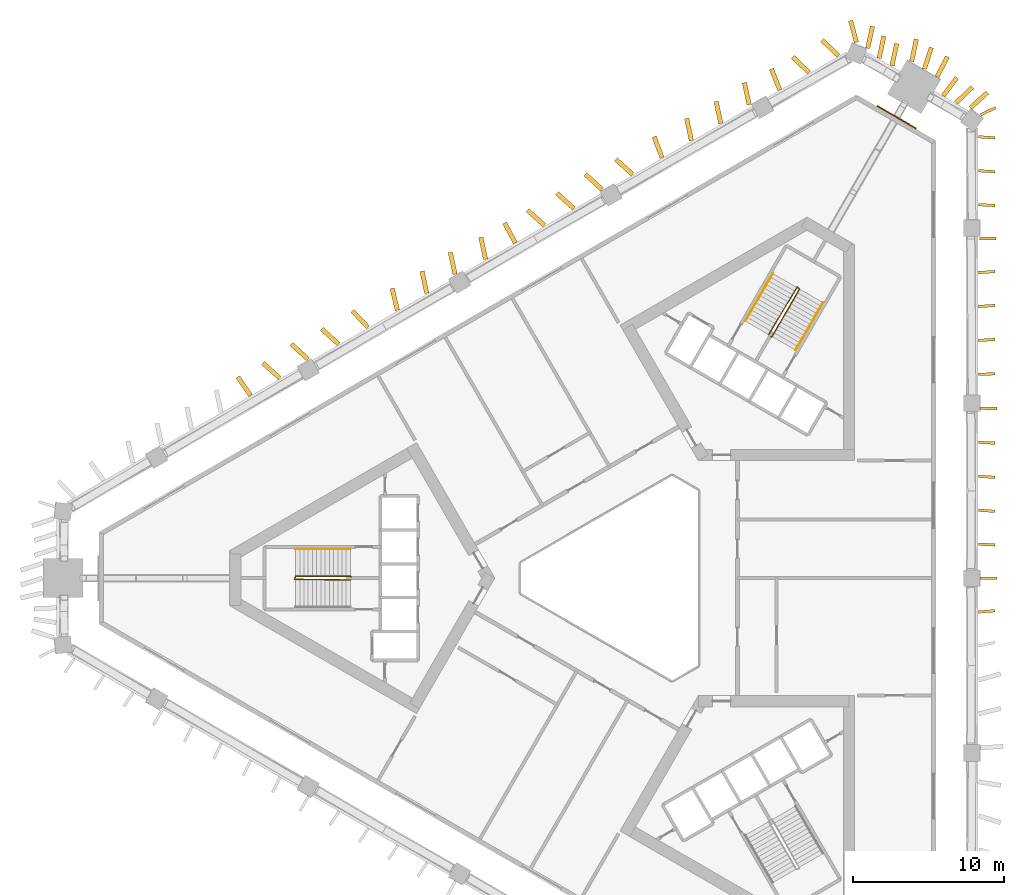
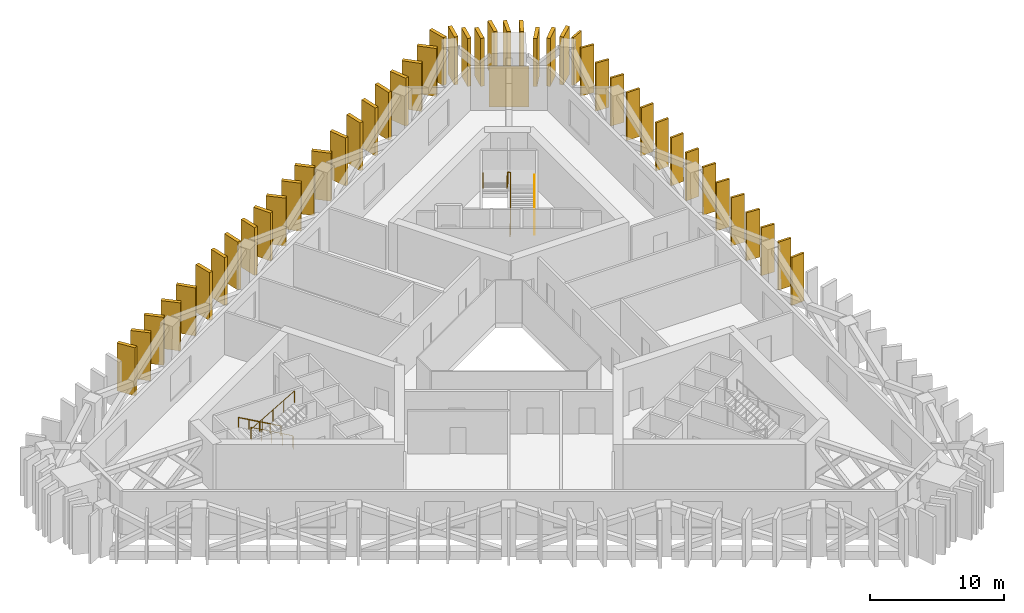
# One storey, part 9 of 9: 47 shading devices, 5 railings, 1 covering.
"""IFC4 building model written with IfcOpenShell, lengths in metres."""

from ifc_helpers import new_model, si_unit, direction, frame, frame_2d, origin, origin_2d, place, context, subcontext, project, spatial, rectangle, circle, extrude, material, layer, layer_set, type_object, element, save


model = new_model("IFC4")

# Units and contexts
model_context = context("Model", 3, precision=1e-05, world=origin(), true_north=direction((0.0, 1.0)))
body_context = subcontext(model_context, "Body", "Model", "MODEL_VIEW")
ifc_project = project(units=[si_unit("LENGTHUNIT", "METRE"), si_unit("AREAUNIT", "SQUARE_METRE"), si_unit("VOLUMEUNIT", "CUBIC_METRE"), si_unit("PLANEANGLEUNIT", "RADIAN"), si_unit("MASSUNIT", "GRAM", prefix="KILO")], contexts=[model_context])

# Site, building, storey
site_placement = place(None, origin())
site = spatial("IfcSite", under=ifc_project, at=site_placement, CompositionType="ELEMENT")
building_placement = place(site_placement, origin())
building = spatial("IfcBuilding", under=site, at=building_placement, Name="Jabali Bay Hotel Tower and Convention Centre", CompositionType="ELEMENT")
storey_placement = place(building_placement, frame((0.0, 0.0, 98.0)))
storey = spatial("IfcBuildingStorey", under=building, at=storey_placement, Name="L23", CompositionType="ELEMENT", Elevation=98.0)

# Shading devices
ifc_material_1 = material(Name="Precast concrete C60", Category="concrete")
ifc_layer_1 = layer(ifc_material_1, 0.179931640625)
ifc_layer_set_1 = layer_set([ifc_layer_1], Name="Precast concrete C60")
shading_device_type_1 = type_object("IfcShadingDeviceType", Name="Precast fin 4380 x 1100", PredefinedType="USERDEFINED", material=ifc_layer_set_1)
shading_device_1_placement = place(storey_placement, frame((98.08447265625, 77.747314453125, 0.010009765625), z_axis=(0.0, 0.0, 1.0), x_axis=(0.996695625224, 0.081227031581, 0.0)))
element("IfcShadingDevice", 1, at=shading_device_1_placement, inside=storey, type_object=shading_device_type_1, Name="Fin L23 012", ObjectType="FIN", PredefinedType="USERDEFINED", context=body_context, shape_type="SweptSolid", body=[
    extrude(rectangle(XDim=1.10009765625, YDim=0.179931640625, at=frame_2d((0.550048828125, 0.0))), origin(), (0.0, 0.0, 1.0), 4.3798828125),
])
for number, where, z_axis, x_axis, name in (
    (2, (98.2275390625, 80.0, 0.010009765625), (0.0, 0.0, 1.0), (0.999989135445, -0.004661436591, 0.0), "Fin L23 013"),
    (3, (98.08154296875, 82.252685546875, 0.010009765625), (0.0, 0.0, 1.0), (0.998849986842, -0.047944799368, 0.0), "Fin L23 014"),
    (4, (98.083251953125, 84.50537109375, 0.010009765625), (0.0, 0.0, 1.0), (0.997750648891, -0.06703463759, 0.0), "Fin L23 015"),
    (5, (98.0830078125, 86.758056640625, 0.010009765625), (0.0, 0.0, 1.0), (0.997926228903, -0.064368017434, 0.0), "Fin L23 016"),
    (6, (98.08154296875, 89.0107421875, 0.010009765625), (0.0, 0.0, 1.0), (0.998860592313, -0.047723339411, 0.0), "Fin L23 017"),
    (7, (98.227783203125, 91.263427734375, 0.010009765625), (0.0, 0.0, 1.0), (0.999974773097, -0.007103039454, 0.0), "Fin L23 018"),
):
    element("IfcShadingDevice", number, at=place(storey_placement, frame(where, z_axis=z_axis, x_axis=x_axis)), inside=storey, type_object=shading_device_type_1, Name=name, ObjectType="FIN", PredefinedType="USERDEFINED", context=body_context, shape_type="SweptSolid", body=[
        extrude(rectangle(XDim=1.099853515625, YDim=0.179931640625, at=frame_2d((0.5498046875, 0.0))), origin(), (0.0, 0.0, 1.0), 4.3798828125),
    ])
for number, where, z_axis, x_axis, name in (
    (8, (98.080810546875, 93.51611328125, 0.010009765625), (0.0, 0.0, 1.0), (0.999219289162, 0.039507115387, 0.0), "Fin L23 019"),
    (9, (98.082763671875, 95.768798828125, 0.010009765625), (0.0, 0.0, 1.0), (0.998039603586, 0.062585538851, 0.0), "Fin L23 020"),
    (10, (98.082763671875, 98.021484375, 0.010009765625), (0.0, 0.0, 1.0), (0.998039603586, 0.062585538851, 0.0), "Fin L23 021"),
    (11, (98.08251953125, 100.274169921875, 0.010009765625), (0.0, 0.0, 1.0), (0.998229702516, 0.059476558531, 0.0), "Fin L23 022"),
    (12, (98.168212890625, 102.52685546875, 0.010009765625), (0.0, 0.0, 1.0), (0.999971533969, 0.007545280105, 0.0), "Fin L23 023"),
):
    element("IfcShadingDevice", number, at=place(storey_placement, frame(where, z_axis=z_axis, x_axis=x_axis)), inside=storey, type_object=shading_device_type_1, Name=name, ObjectType="FIN", PredefinedType="USERDEFINED", context=body_context, shape_type="SweptSolid", body=[
        extrude(rectangle(XDim=1.10009765625, YDim=0.179931640625, at=frame_2d((0.550048828125, 0.0))), origin(), (0.0, 0.0, 1.0), 4.3798828125),
    ])
for number, where, z_axis, x_axis, name in (
    (13, (98.08203125, 104.779541015625, 0.010009765625), (0.0, 0.0, 1.0), (0.998580175057, -0.053269446991, 0.0), "Fin L23 024"),
    (14, (98.0830078125, 107.0322265625, 0.010009765625), (0.0, 0.0, 1.0), (0.997897616982, -0.064810076548, 0.0), "Fin L23 025"),
    (15, (98.083251953125, 109.284912109375, 0.010009765625), (0.0, 0.0, 1.0), (0.99767581211, -0.068139371372, 0.0), "Fin L23 026"),
):
    element("IfcShadingDevice", number, at=place(storey_placement, frame(where, z_axis=z_axis, x_axis=x_axis)), inside=storey, type_object=shading_device_type_1, Name=name, ObjectType="FIN", PredefinedType="USERDEFINED", context=body_context, shape_type="SweptSolid", body=[
        extrude(rectangle(XDim=1.099853515625, YDim=0.179931640625, at=frame_2d((0.5498046875, 0.0))), origin(), (0.0, 0.0, 1.0), 4.3798828125),
    ])
shading_device_2_placement = place(storey_placement, frame((98.234375, 110.73291015625, 0.010009765625), z_axis=(0.0, 0.0, 1.0), x_axis=(0.89956048759, 0.43679621011, 0.0)))
element("IfcShadingDevice", 16, at=shading_device_2_placement, inside=storey, type_object=shading_device_type_1, Name="Fin L23 109", ObjectType="FIN", PredefinedType="USERDEFINED", context=body_context, shape_type="SweptSolid", body=[
    extrude(rectangle(XDim=1.10009765625, YDim=0.179931640625, at=frame_2d((0.550048828125, 0.0))), origin(), (0.0, 0.0, 1.0), 4.3798828125),
])
ifc_layer_2 = layer(ifc_material_1, 0.300048828125)
ifc_layer_set_2 = layer_set([ifc_layer_2], Name="Precast concrete C60")
shading_device_type_2 = type_object("IfcShadingDeviceType", Name="Precast fin 4380 x 1500", PredefinedType="USERDEFINED", material=ifc_layer_set_2)
for number, where, z_axis, x_axis, name in (
    (17, (97.57080078125, 111.212158203125, 0.010009765625), (0.0, 0.0, 1.0), (0.741543490988, 0.670904800231, 0.0), "Fin L23 027"),
    (18, (96.6171875, 111.53076171875, 0.010009765625), (0.0, 0.0, 1.0), (0.710921219075, 0.703271654675, 0.0), "Fin L23 028"),
    (19, (95.753173828125, 112.004638671875, 0.010009765625), (0.0, 0.0, 1.0), (0.599791639545, 0.800156227953, 0.0), "Fin L23 029"),
    (20, (95.34375, 113.26611328125, 0.010009765625), (0.0, 0.0, 1.0), (0.462254474176, 0.886747315251, 0.0), "Fin L23 030"),
    (21, (94.502685546875, 113.77978515625, 0.010009765625), (0.0, 0.0, 1.0), (0.31070492328, 0.950506417995, 0.0), "Fin L23 031"),
    (22, (93.656982421875, 114.285400390625, 0.010009765625), (0.0, 0.0, 1.0), (0.210273710971, 0.977642555577, 0.0), "Fin L23 032"),
    (23, (92.354248046875, 113.999267578125, 0.010009765625), (0.0, 0.0, 1.0), (0.210273710971, 0.977642555577, 0.0), "Fin L23 033"),
    (24, (91.5009765625, 114.491943359375, 0.010009765625), (0.0, 0.0, 1.0), (0.210273710971, 0.977642555577, 0.0), "Fin L23 034"),
    (25, (90.7451171875, 115.153076171875, 0.010009765625), (0.0, 0.0, 1.0), (0.210273710971, 0.977642555577, 0.0), "Fin L23 035"),
):
    element("IfcShadingDevice", number, at=place(storey_placement, frame(where, z_axis=z_axis, x_axis=x_axis)), inside=storey, type_object=shading_device_type_2, Name=name, ObjectType="FIN", PredefinedType="USERDEFINED", context=body_context, shape_type="SweptSolid", body=[
        extrude(rectangle(XDim=1.5, YDim=0.300048828125, at=frame_2d((0.75, 0.0))), origin(), (0.0, 0.0, 1.0), 4.3798828125),
    ])
shading_device_3_placement = place(storey_placement, frame((88.8017578125, 114.664306640625, 0.010009765625), z_axis=(0.0, 0.0, 1.0), x_axis=(-0.722878664333, 0.690974989889, 0.0)))
element("IfcShadingDevice", 26, at=shading_device_3_placement, inside=storey, type_object=shading_device_type_2, Name="Fin L23 036", ObjectType="FIN", PredefinedType="USERDEFINED", context=body_context, shape_type="SweptSolid", body=[
    extrude(rectangle(XDim=1.499755859375, YDim=0.300048828125, at=frame_2d((0.75, 0.0))), origin(), (0.0, 0.0, 1.0), 4.3798828125),
])
shading_device_4_placement = place(storey_placement, frame((86.8515625, 113.536865234375, 0.010009765625), z_axis=(0.0, 0.0, 1.0), x_axis=(-0.717685939254, 0.696366923825, 0.0)))
element("IfcShadingDevice", 27, at=shading_device_4_placement, inside=storey, type_object=shading_device_type_2, Name="Fin L23 037", ObjectType="FIN", PredefinedType="USERDEFINED", context=body_context, shape_type="SweptSolid", body=[
    extrude(rectangle(XDim=1.500244140625, YDim=0.300048828125, at=frame_2d((0.75, 0.0))), origin(), (0.0, 0.0, 1.0), 4.3798828125),
])
for number, where, z_axis, x_axis, name in (
    (28, (84.910400390625, 112.3935546875, 0.010009765625), (0.0, 0.0, 1.0), (-0.37158710571, 0.928398095038, 0.0), "Fin L23 038"),
    (29, (82.876953125, 111.41015625, 0.010009765625), (0.0, 0.0, 1.0), (-0.21077383225, 0.977534854437, 0.0), "Fin L23 039"),
    (30, (80.996337890625, 110.162353515625, 0.010009765625), (0.0, 0.0, 1.0), (-0.210462742217, 0.977601879161, 0.0), "Fin L23 040"),
    (31, (79.04541015625, 109.035888671875, 0.010009765625), (0.0, 0.0, 1.0), (-0.210273710971, 0.977642555577, 0.0), "Fin L23 041"),
    (32, (77.10595703125, 107.889892578125, 0.010009765625), (0.0, 0.0, 1.0), (-0.359208105007, 0.933257487137, 0.0), "Fin L23 042"),
):
    element("IfcShadingDevice", number, at=place(storey_placement, frame(where, z_axis=z_axis, x_axis=x_axis)), inside=storey, type_object=shading_device_type_2, Name=name, ObjectType="FIN", PredefinedType="USERDEFINED", context=body_context, shape_type="SweptSolid", body=[
        extrude(rectangle(XDim=1.5, YDim=0.300048828125, at=frame_2d((0.75, 0.0))), origin(), (0.0, 0.0, 1.0), 4.3798828125),
    ])
shading_device_5_placement = place(storey_placement, frame((75.143798828125, 106.783203125, 0.010009765625), z_axis=(0.0, 0.0, 1.0), x_axis=(-0.741616739041, 0.670823831101, 0.0)))
element("IfcShadingDevice", 33, at=shading_device_5_placement, inside=storey, type_object=shading_device_type_2, Name="Fin L23 043", ObjectType="FIN", PredefinedType="USERDEFINED", context=body_context, shape_type="SweptSolid", body=[
    extrude(rectangle(XDim=1.500244140625, YDim=0.300048828125, at=frame_2d((0.75, 0.0))), origin(), (0.0, 0.0, 1.0), 4.3798828125),
])
for number, where, z_axis, x_axis, name in (
    (34, (73.117919921875, 105.786865234375, 0.010009765625), (0.0, 0.0, 1.0), (-0.741543490988, 0.670904800231, 0.0), "Fin L23 044"),
    (35, (71.241943359375, 104.530517578125, 0.010009765625), (0.0, 0.0, 1.0), (-0.741543490988, 0.670904800231, 0.0), "Fin L23 045"),
    (36, (69.291015625, 103.404296875, 0.010009765625), (0.0, 0.0, 1.0), (-0.741543490988, 0.670904800231, 0.0), "Fin L23 046"),
    (37, (67.36083984375, 102.2421875, 0.010009765625), (0.0, 0.0, 1.0), (-0.472487869639, 0.881337173302, 0.0), "Fin L23 047"),
    (38, (65.389404296875, 101.151611328125, 0.010009765625), (0.0, 0.0, 1.0), (-0.210273710971, 0.977642555577, 0.0), "Fin L23 048"),
    (39, (63.363525390625, 100.155029296875, 0.010009765625), (0.0, 0.0, 1.0), (-0.210273710971, 0.977642555577, 0.0), "Fin L23 049"),
    (40, (61.487548828125, 98.89892578125, 0.010009765625), (0.0, 0.0, 1.0), (-0.210273710971, 0.977642555577, 0.0), "Fin L23 050"),
    (41, (59.53857421875, 97.76953125, 0.010009765625), (0.0, 0.0, 1.0), (-0.234714784942, 0.972064282715, 0.0), "Fin L23 051"),
    (42, (57.591064453125, 96.636962890625, 0.010009765625), (0.0, 0.0, 1.0), (-0.690309262672, 0.723514424092, 0.0), "Fin L23 052"),
):
    element("IfcShadingDevice", number, at=place(storey_placement, frame(where, z_axis=z_axis, x_axis=x_axis)), inside=storey, type_object=shading_device_type_2, Name=name, ObjectType="FIN", PredefinedType="USERDEFINED", context=body_context, shape_type="SweptSolid", body=[
        extrude(rectangle(XDim=1.5, YDim=0.300048828125, at=frame_2d((0.75, 0.0))), origin(), (0.0, 0.0, 1.0), 4.3798828125),
    ])
shading_device_6_placement = place(storey_placement, frame((55.635009765625, 95.519775390625, 0.010009765625), z_axis=(0.0, 0.0, 1.0), x_axis=(-0.741616739041, 0.670823831101, 0.0)))
element("IfcShadingDevice", 43, at=shading_device_6_placement, inside=storey, type_object=shading_device_type_2, Name="Fin L23 053", ObjectType="FIN", PredefinedType="USERDEFINED", context=body_context, shape_type="SweptSolid", body=[
    extrude(rectangle(XDim=1.500244140625, YDim=0.300048828125, at=frame_2d((0.75, 0.0))), origin(), (0.0, 0.0, 1.0), 4.3798828125),
])
for number, where, z_axis, x_axis, name in (
    (44, (53.609130859375, 94.5234375, 0.010009765625), (0.0, 0.0, 1.0), (-0.741543490988, 0.670904800231, 0.0), "Fin L23 054"),
    (45, (51.733154296875, 93.26708984375, 0.010009765625), (0.0, 0.0, 1.0), (-0.741543490988, 0.670904800231, 0.0), "Fin L23 055"),
    (46, (49.799072265625, 92.111572265625, 0.010009765625), (0.0, 0.0, 1.0), (-0.569040686928, 0.822309367952, 0.0), "Fin L23 056"),
    (47, (89.998291015625, 115.54443359375, 0.010009765625), (0.0, 0.0, 1.0), (-0.260265320637, 0.965537136973, 0.0), "Fin L23 110"),
):
    element("IfcShadingDevice", number, at=place(storey_placement, frame(where, z_axis=z_axis, x_axis=x_axis)), inside=storey, type_object=shading_device_type_2, Name=name, ObjectType="FIN", PredefinedType="USERDEFINED", context=body_context, shape_type="SweptSolid", body=[
        extrude(rectangle(XDim=1.5, YDim=0.300048828125, at=frame_2d((0.75, 0.0))), origin(), (0.0, 0.0, 1.0), 4.3798828125),
    ])

# Covering
ifc_material_2 = material(Name="Precast concrete C40/50", Category="concrete")
ifc_layer_3 = layer(ifc_material_2, 0.080078125)
ifc_layer_set_3 = layer_set([ifc_layer_3], Name="Precast concrete C40/50")
covering_type = type_object("IfcCoveringType", Name="Relief panel 3000 x 3700", PredefinedType="CLADDING", material=ifc_layer_set_3)
covering_placement = place(storey_placement, frame((92.65771484375, 110.583984375, 0.10009765625), z_axis=(0.0, 0.0, 1.0), x_axis=(0.866025366818, -0.500000064027, 0.0)))
element("IfcCovering", 48, at=covering_placement, inside=storey, type_object=covering_type, Name="Relief panel L23", PredefinedType="CLADDING", context=body_context, shape_type="SweptSolid", body=[
    extrude(rectangle(XDim=3.0, YDim=0.080078125, at=origin_2d()), origin(), (0.0, 0.0, 1.0), 3.699951171875),
])

# Railings
ifc_material_3 = material(Name="Steel Q355B", Category="steel")
railing_type_1 = type_object("IfcRailingType", Name="Stair guard 1100", PredefinedType="GUARDRAIL", material=ifc_material_3)
railing_1_placement = place(storey_placement, frame((56.469970703125, 80.074951171875, 0.0)))
element("IfcRailing", 49, at=railing_1_placement, inside=storey, type_object=railing_type_1, Name="L23 ST1 stair guard 1", PredefinedType="GUARDRAIL", context=body_context, shape_type="SweptSolid", body=[
    extrude(circle(Radius=0.02392578125, at=origin_2d()), frame((0.0, 0.0, 1.076171875), z_axis=(-0.290266377826, 0.290266377826, 0.911861206439), x_axis=(-0.707106781187, -0.707106781187, 0.0)), (0.0, 0.0, 1.0), 0.17236328125),
    extrude(circle(Radius=0.02392578125, at=origin_2d()), frame((-0.050048828125, 0.050048828125, 1.2333984375), z_axis=(-0.872057804188, 0.0, 0.489402887359), x_axis=(0.0, -1.0, 0.0)), (0.0, 0.0, 1.0), 4.173828125),
    extrude(circle(Radius=0.02392578125, at=origin_2d()), frame((-3.68994140625, 0.050048828125, 3.27587890625), z_axis=(-0.242814311512, -0.970072785993, 0.0), x_axis=(0.970072785993, -0.242814311512, 0.0)), (0.0, 0.0, 1.0), 0.2060546875),
    extrude(circle(Radius=0.02392578125, at=origin_2d()), frame((-3.739990234375, -0.14990234375, 3.27587890625), z_axis=(0.858870423873, -0.011649360652, 0.512060433341), x_axis=(0.013562335953, 0.999908027292, 0.0)), (0.0, 0.0, 1.0), 4.29638671875),
    extrude(circle(Radius=0.02099609375, at=origin_2d()), origin(), (0.0, 0.0, 1.0), 1.052001953125),
    extrude(circle(Radius=0.02099609375, at=origin_2d()), frame((-0.050048828125, 0.050048828125, 0.1572265625)), (0.0, 0.0, 1.0), 1.052001953125),
    extrude(circle(Radius=0.02099609375, at=origin_2d()), frame((-0.9599609375, 0.050048828125, 0.66796875)), (0.0, 0.0, 1.0), 1.052001953125),
    extrude(circle(Radius=0.02099609375, at=origin_2d()), frame((-1.8701171875, 0.050048828125, 1.1787109375)), (0.0, 0.0, 1.0), 1.052001953125),
    extrude(circle(Radius=0.02099609375, at=origin_2d()), frame((-2.780029296875, 0.050048828125, 1.689208984375)), (0.0, 0.0, 1.0), 1.052001953125),
    extrude(circle(Radius=0.02099609375, at=origin_2d()), frame((-3.68994140625, 0.050048828125, 2.199951171875)), (0.0, 0.0, 1.0), 1.052001953125),
    extrude(circle(Radius=0.02099609375, at=origin_2d()), frame((-3.739990234375, -0.14990234375, 2.199951171875)), (0.0, 0.0, 1.0), 1.052001953125),
    extrude(circle(Radius=0.02099609375, at=origin_2d()), frame((-2.8173828125, -0.162353515625, 2.75)), (0.0, 0.0, 1.0), 1.052001953125),
    extrude(circle(Radius=0.02099609375, at=origin_2d()), frame((-1.89501953125, -0.1748046875, 3.2998046875)), (0.0, 0.0, 1.0), 1.052001953125),
    extrude(circle(Radius=0.02099609375, at=origin_2d()), frame((-0.97265625, -0.1875, 3.849853515625)), (0.0, 0.0, 1.0), 1.052001953125),
    extrude(circle(Radius=0.02099609375, at=origin_2d()), frame((-0.050048828125, -0.199951171875, 4.39990234375)), (0.0, 0.0, 1.0), 1.052001953125),
])
railing_2_placement = place(storey_placement, frame((84.329833984375, 96.010009765625, 0.0)))
element("IfcRailing", 50, at=railing_2_placement, inside=storey, type_object=railing_type_1, Name="L23 ST2 stair guard 1", PredefinedType="GUARDRAIL", context=body_context, shape_type="SweptSolid", body=[
    extrude(circle(Radius=0.02392578125, at=origin_2d()), frame((0.0, 0.0, 1.076171875), z_axis=(0.396471330136, 0.106197677715, 0.911884059312), x_axis=(-0.258736085224, 0.965948051503, 0.0)), (0.0, 0.0, 1.0), 0.17236328125),
    extrude(circle(Radius=0.02392578125, at=origin_2d()), frame((0.068359375, 0.018310546875, 1.2333984375), z_axis=(0.436044357701, 0.755225318126, 0.48938740991), x_axis=(-0.866018046521, 0.500012742938, 0.0)), (0.0, 0.0, 1.0), 4.174072265625),
    extrude(circle(Radius=0.02392578125, at=origin_2d()), frame((1.888427734375, 3.170654296875, 3.27587890625), z_axis=(-0.718850276695, 0.695164929852, 0.0), x_axis=(-0.695164929852, -0.718850276695, 0.0)), (0.0, 0.0, 1.0), 0.2060546875),
    extrude(circle(Radius=0.02392578125, at=origin_2d()), frame((1.740234375, 3.31396484375, 3.27587890625), z_axis=(-0.439537937446, -0.737980503376, 0.512046070372), x_axis=(0.859157857954, -0.511710636118, 0.0)), (0.0, 0.0, 1.0), 4.29638671875),
    extrude(circle(Radius=0.02099609375, at=origin_2d()), origin(), (0.0, 0.0, 1.0), 1.052001953125),
    extrude(circle(Radius=0.02099609375, at=origin_2d()), frame((0.068359375, 0.018310546875, 0.1572265625)), (0.0, 0.0, 1.0), 1.052001953125),
    extrude(circle(Radius=0.02099609375, at=origin_2d()), frame((0.5234375, 0.806396484375, 0.66796875)), (0.0, 0.0, 1.0), 1.052001953125),
    extrude(circle(Radius=0.02099609375, at=origin_2d()), frame((0.978515625, 1.594482421875, 1.1787109375)), (0.0, 0.0, 1.0), 1.052001953125),
    extrude(circle(Radius=0.02099609375, at=origin_2d()), frame((1.433349609375, 2.382568359375, 1.689208984375)), (0.0, 0.0, 1.0), 1.052001953125),
    extrude(circle(Radius=0.02099609375, at=origin_2d()), frame((1.888427734375, 3.170654296875, 2.199951171875)), (0.0, 0.0, 1.0), 1.052001953125),
    extrude(circle(Radius=0.02099609375, at=origin_2d()), frame((1.740234375, 3.31396484375, 2.199951171875)), (0.0, 0.0, 1.0), 1.052001953125),
    extrude(circle(Radius=0.02099609375, at=origin_2d()), frame((1.26806640625, 2.521240234375, 2.75)), (0.0, 0.0, 1.0), 1.052001953125),
    extrude(circle(Radius=0.02099609375, at=origin_2d()), frame((0.7958984375, 1.728515625, 3.2998046875)), (0.0, 0.0, 1.0), 1.052001953125),
    extrude(circle(Radius=0.02099609375, at=origin_2d()), frame((0.323974609375, 0.93603515625, 3.849853515625)), (0.0, 0.0, 1.0), 1.052001953125),
    extrude(circle(Radius=0.02099609375, at=origin_2d()), frame((-0.148193359375, 0.143310546875, 4.39990234375)), (0.0, 0.0, 1.0), 1.052001953125),
])
railing_type_2 = type_object("IfcRailingType", Name="Stair handrail 900", PredefinedType="HANDRAIL", material=ifc_material_3)
railing_3_placement = place(storey_placement, frame((56.419921875, 81.925048828125, 0.1572265625)))
element("IfcRailing", 51, at=railing_3_placement, inside=storey, type_object=railing_type_2, Name="L23 ST1 stair handrail 1", PredefinedType="HANDRAIL", context=body_context, shape_type="SweptSolid", body=[
    extrude(circle(Radius=0.02392578125, at=origin_2d()), frame((0.0, 0.0, 0.8759765625), z_axis=(-0.872057804188, 0.0, 0.489402887359), x_axis=(0.0, -1.0, 0.0)), (0.0, 0.0, 1.0), 4.173828125),
    extrude(circle(Radius=0.02099609375, at=origin_2d()), origin(), (0.0, 0.0, 1.0), 0.851806640625),
    extrude(circle(Radius=0.02099609375, at=origin_2d()), frame((-0.909912109375, 0.0, 0.5107421875)), (0.0, 0.0, 1.0), 0.851806640625),
    extrude(circle(Radius=0.02099609375, at=origin_2d()), frame((-1.81982421875, 0.0, 1.021484375)), (0.0, 0.0, 1.0), 0.851806640625),
    extrude(circle(Radius=0.02099609375, at=origin_2d()), frame((-2.72998046875, 0.0, 1.531982421875)), (0.0, 0.0, 1.0), 0.851806640625),
    extrude(circle(Radius=0.02099609375, at=origin_2d()), frame((-3.639892578125, 0.0, 2.042724609375)), (0.0, 0.0, 1.0), 0.851806640625),
])
railing_4_placement = place(storey_placement, frame((85.95703125, 95.128173828125, 0.1572265625)))
element("IfcRailing", 52, at=railing_4_placement, inside=storey, type_object=railing_type_2, Name="L23 ST2 stair handrail 1", PredefinedType="HANDRAIL", context=body_context, shape_type="SweptSolid", body=[
    extrude(circle(Radius=0.02392578125, at=origin_2d()), frame((0.0, 0.0, 0.8759765625), z_axis=(0.436044357701, 0.755225318126, 0.48938740991), x_axis=(-0.866018046521, 0.500012742938, 0.0)), (0.0, 0.0, 1.0), 4.174072265625),
    extrude(circle(Radius=0.02099609375, at=origin_2d()), origin(), (0.0, 0.0, 1.0), 0.851806640625),
    extrude(circle(Radius=0.02099609375, at=origin_2d()), frame((0.455078125, 0.7880859375, 0.5107421875)), (0.0, 0.0, 1.0), 0.851806640625),
    extrude(circle(Radius=0.02099609375, at=origin_2d()), frame((0.91015625, 1.576171875, 1.021484375)), (0.0, 0.0, 1.0), 0.851806640625),
    extrude(circle(Radius=0.02099609375, at=origin_2d()), frame((1.364990234375, 2.3642578125, 1.531982421875)), (0.0, 0.0, 1.0), 0.851806640625),
    extrude(circle(Radius=0.02099609375, at=origin_2d()), frame((1.820068359375, 3.15234375, 2.042724609375)), (0.0, 0.0, 1.0), 0.851806640625),
])
railing_5_placement = place(storey_placement, frame((84.44287109375, 100.20556640625, 2.357177734375)))
element("IfcRailing", 53, at=railing_5_placement, inside=storey, type_object=railing_type_2, Name="L23 ST2 stair handrail 2", PredefinedType="HANDRAIL", context=body_context, shape_type="SweptSolid", body=[
    extrude(circle(Radius=0.02392578125, at=origin_2d()), frame((0.0, 0.0, 0.8759765625), z_axis=(-0.436044357701, -0.755225318126, 0.48938740991), x_axis=(0.866018046521, -0.500012742938, 0.0)), (0.0, 0.0, 1.0), 4.174072265625),
    extrude(circle(Radius=0.02099609375, at=origin_2d()), origin(), (0.0, 0.0, 1.0), 0.851806640625),
    extrude(circle(Radius=0.02099609375, at=origin_2d()), frame((-0.455078125, -0.7880859375, 0.5107421875)), (0.0, 0.0, 1.0), 0.851806640625),
    extrude(circle(Radius=0.02099609375, at=origin_2d()), frame((-0.91015625, -1.576171875, 1.021484375)), (0.0, 0.0, 1.0), 0.851806640625),
    extrude(circle(Radius=0.02099609375, at=origin_2d()), frame((-1.364990234375, -2.3642578125, 1.531982421875)), (0.0, 0.0, 1.0), 0.851806640625),
    extrude(circle(Radius=0.02099609375, at=origin_2d()), frame((-1.820068359375, -3.15234375, 2.042724609375)), (0.0, 0.0, 1.0), 0.851806640625),
])

save(model, "model.ifc")
